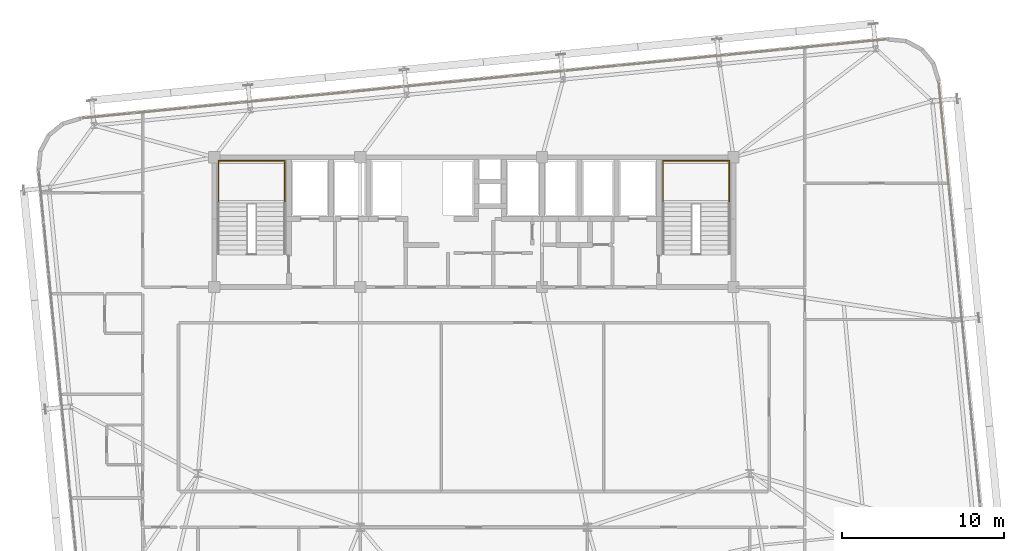
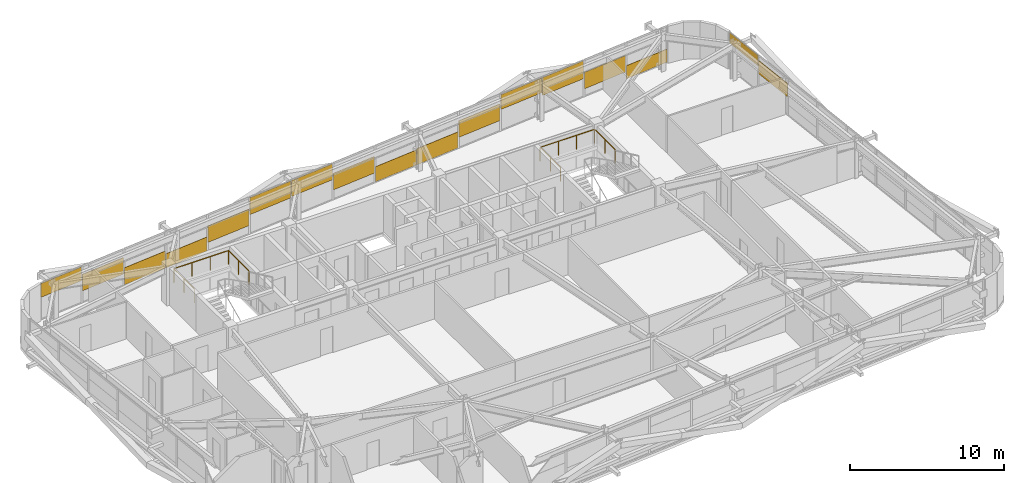
# One storey, part 53 of 53: 17 coverings, 2 railings.
"""IFC4 building model written with IfcOpenShell, lengths in metres."""

from ifc_helpers import new_model, si_unit, direction, frame, origin, origin_2d, place, context, subcontext, project, spatial, rectangle, extrude, source, transform, mapped, material, layer, layer_set, type_object, element, save


model = new_model("IFC4")

# Units and contexts
model_context = context("Model", 3, precision=1e-05, world=origin(), true_north=direction((0.0, 1.0)))
body_context = subcontext(model_context, "Body", "Model", "MODEL_VIEW")
ifc_project = project(units=[si_unit("LENGTHUNIT", "METRE"), si_unit("AREAUNIT", "SQUARE_METRE"), si_unit("VOLUMEUNIT", "CUBIC_METRE"), si_unit("PLANEANGLEUNIT", "RADIAN"), si_unit("MASSUNIT", "GRAM", prefix="KILO")], contexts=[model_context])

# Site, building, storey
site_placement = place(None, origin())
site = spatial("IfcSite", under=ifc_project, at=site_placement, CompositionType="ELEMENT")
building_placement = place(site_placement, origin())
building = spatial("IfcBuilding", under=site, at=building_placement, Name="Taldren Reach Tower", CompositionType="ELEMENT")
storey_placement = place(building_placement, frame((0.0, 0.0, 84.0)))
storey = spatial("IfcBuildingStorey", under=building, at=storey_placement, Name="L25", CompositionType="ELEMENT", Elevation=84.0)

# Railings
ifc_material_1 = material(Name="Steel Gr 350 (C350L0)", Category="steel")
ifc_layer_1 = layer(ifc_material_1, 0.050048828125)
ifc_layer_set_1 = layer_set([ifc_layer_1], Name="Steel Gr 350 (C350L0)")
railing_type = type_object("IfcRailingType", Name="RL-STAIR-GR", PredefinedType="GUARDRAIL", material=ifc_layer_set_1)
for number, where, name in (
    (1, (19.260009765625, 29.135009765625, 1.574951171875), "Stair half-landing perimeter guard ST1-L25"),
    (2, (46.659912109375, 29.135009765625, 1.574951171875), "Stair half-landing perimeter guard ST2-L25"),
):
    element("IfcRailing", number, at=place(storey_placement, frame(where)), inside=storey, type_object=railing_type, Name=name, PredefinedType="GUARDRAIL", context=body_context, shape_type="SweptSolid", body=[
        extrude(rectangle(XDim=0.047852, YDim=0.047852, at=origin_2d()), frame((0.0, 0.0, 1.09619140625), z_axis=(0.0, 1.0, 0.0), x_axis=(-1.0, 0.0, 0.0)), (0.0, 0.0, 1.0), 2.64501953125),
        extrude(rectangle(XDim=0.047852, YDim=0.047852, at=origin_2d()), frame((0.0, 2.64501953125, 1.09619140625), z_axis=(1.0, 0.0, 0.0), x_axis=(0.0, 1.0, 0.0)), (0.0, 0.0, 1.0), 4.080078125),
        extrude(rectangle(XDim=0.047852, YDim=0.047852, at=origin_2d()), frame((4.080078125, 2.64501953125, 1.09619140625), z_axis=(0.0, -1.0, 0.0), x_axis=(1.0, 0.0, 0.0)), (0.0, 0.0, 1.0), 2.64501953125),
        extrude(rectangle(XDim=0.041992, YDim=0.041992, at=origin_2d()), origin(), (0.0, 0.0, 1.0), 1.072021484375),
        extrude(rectangle(XDim=0.041992, YDim=0.041992, at=origin_2d()), frame((0.0, 1.322509765625, 0.0)), (0.0, 0.0, 1.0), 1.072021484375),
        extrude(rectangle(XDim=0.041992, YDim=0.041992, at=origin_2d()), frame((0.0, 2.64501953125, 0.0)), (0.0, 0.0, 1.0), 1.072021484375),
        extrude(rectangle(XDim=0.041992, YDim=0.041992, at=origin_2d()), frame((1.360107421875, 2.64501953125, 0.0)), (0.0, 0.0, 1.0), 1.072021484375),
        extrude(rectangle(XDim=0.041992, YDim=0.041992, at=origin_2d()), frame((2.719970703125, 2.64501953125, 0.0)), (0.0, 0.0, 1.0), 1.072021484375),
        extrude(rectangle(XDim=0.041992, YDim=0.041992, at=origin_2d()), frame((4.080078125, 2.64501953125, 0.0)), (0.0, 0.0, 1.0), 1.072021484375),
        extrude(rectangle(XDim=0.041992, YDim=0.041992, at=origin_2d()), frame((4.080078125, 1.322509765625, 0.0)), (0.0, 0.0, 1.0), 1.072021484375),
        extrude(rectangle(XDim=0.041992, YDim=0.041992, at=origin_2d()), frame((4.080078125, 0.0, 0.0)), (0.0, 0.0, 1.0), 1.072021484375),
    ])

# Coverings
ifc_material_2 = material(Name="Pale Champagne Fluoropolymer Aluminium Spandrel Cladding", Category="aluminium")
ifc_layer_2 = layer(ifc_material_2, 0.0439453125)
ifc_layer_set_2 = layer_set([ifc_layer_2], Name="Pale Champagne Fluoropolymer Aluminium Spandrel Cladding")
covering_type = type_object("IfcCoveringType", Name="CV-CLAD-044", PredefinedType="CLADDING", material=ifc_layer_set_2)
shared_shape_1 = source(origin(), body_context, "Body", "SweptSolid", [
    extrude(rectangle(XDim=3.23583984375, YDim=0.0439453125, at=origin_2d()), origin(), (0.0, 0.0, 1.0), 1.094970703125),
])
covering_1_placement = place(storey_placement, frame((12.42578125, 34.550537109375, 1.7802734375), z_axis=(0.0, 0.0, 1.0), x_axis=(-0.995227390247, -0.097582999046, 0.0)))
element("IfcCovering", 3, at=covering_1_placement, inside=storey, type_object=covering_type, Name="Diagrid closure cladding strip CW-3 panel 15.1 1", PredefinedType="CLADDING", context=body_context, shape_type="MappedRepresentation", body=[
    mapped(shared_shape_1, transform((0.0, 0.0, 0.0), scale=1.0)),
])
shared_shape_2 = source(origin(), body_context, "Body", "SweptSolid", [
    extrude(rectangle(XDim=3.268310546875, YDim=0.0439453125, at=origin_2d()), origin(), (0.0, 0.0, 1.0), 1.3046875),
])
for number, where, z_axis, x_axis, name in (
    (4, (55.5361328125, 38.777587890625, 0.6220703125), (0.0, 0.0, 1.0), (-0.995227390247, -0.097582999046, 0.0), "Diagrid closure cladding strip CW-3 panel 2.1 1"),
    (5, (45.583740234375, 37.8017578125, 0.863037109375), (0.0, 0.0, 1.0), (-0.995227390247, -0.097582999046, 0.0), "Diagrid closure cladding strip CW-3 panel 5.1 1"),
    (6, (35.631591796875, 36.825927734375, 0.78271484375), (0.0, 0.0, 1.0), (-0.995227390247, -0.097582999046, 0.0), "Diagrid closure cladding strip CW-3 panel 8.1 1"),
    (7, (25.67919921875, 35.85009765625, 0.702392578125), (0.0, 0.0, 1.0), (-0.995227390247, -0.097582999046, 0.0), "Diagrid closure cladding strip CW-3 panel 11.1 1"),
    (8, (15.72705078125, 34.874267578125, 0.943359375), (0.0, 0.0, 1.0), (-0.995227390247, -0.097582999046, 0.0), "Diagrid closure cladding strip CW-3 panel 14.1 1"),
):
    element("IfcCovering", number, at=place(storey_placement, frame(where, z_axis=z_axis, x_axis=x_axis)), inside=storey, type_object=covering_type, Name=name, PredefinedType="CLADDING", context=body_context, shape_type="MappedRepresentation", body=[
        mapped(shared_shape_2, transform((0.0, 0.0, 0.0), scale=1.0)),
    ])
shared_shape_3 = source(origin(), body_context, "Body", "SweptSolid", [
    extrude(rectangle(XDim=3.268310546875, YDim=0.0439453125, at=origin_2d()), origin(), (0.0, 0.0, 1.0), 1.356201171875),
])
covering_2_placement = place(storey_placement, frame((19.04443359375, 35.199462890625, 0.05517578125), z_axis=(0.0, 0.0, 1.0), x_axis=(-0.995227390247, -0.097582999046, 0.0)))
element("IfcCovering", 9, at=covering_2_placement, inside=storey, type_object=covering_type, Name="Diagrid closure cladding strip CW-3 panel 13.1 1", PredefinedType="CLADDING", context=body_context, shape_type="MappedRepresentation", body=[
    mapped(shared_shape_3, transform((0.0, 0.0, 0.0), scale=1.0)),
])
shared_shape_4 = source(origin(), body_context, "Body", "SweptSolid", [
    extrude(rectangle(XDim=3.268310546875, YDim=0.0439453125, at=origin_2d()), origin(), (0.0, 0.0, 1.0), 1.115234375),
])
covering_3_placement = place(storey_placement, frame((22.36181640625, 35.52490234375, 0.054931640625), z_axis=(0.0, 0.0, 1.0), x_axis=(-0.995227390247, -0.097582999046, 0.0)))
element("IfcCovering", 10, at=covering_3_placement, inside=storey, type_object=covering_type, Name="Diagrid closure cladding strip CW-3 panel 12.1 1", PredefinedType="CLADDING", context=body_context, shape_type="MappedRepresentation", body=[
    mapped(shared_shape_4, transform((0.0, 0.0, 0.0), scale=1.0)),
])
shared_shape_5 = source(origin(), body_context, "Body", "SweptSolid", [
    extrude(rectangle(XDim=3.268310546875, YDim=0.0439453125, at=origin_2d()), origin(), (0.0, 0.0, 1.0), 1.3359375),
])
covering_4_placement = place(storey_placement, frame((28.996826171875, 36.17529296875, 1.5390625), z_axis=(0.0, 0.0, 1.0), x_axis=(-0.995227390247, -0.097582999046, 0.0)))
element("IfcCovering", 11, at=covering_4_placement, inside=storey, type_object=covering_type, Name="Diagrid closure cladding strip CW-3 panel 10.1 1", PredefinedType="CLADDING", context=body_context, shape_type="MappedRepresentation", body=[
    mapped(shared_shape_5, transform((0.0, 0.0, 0.0), scale=1.0)),
])
shared_shape_6 = source(origin(), body_context, "Body", "SweptSolid", [
    extrude(rectangle(XDim=3.268310546875, YDim=0.0439453125, at=origin_2d()), origin(), (0.0, 0.0, 1.0), 1.255615234375),
])
covering_5_placement = place(storey_placement, frame((32.314208984375, 36.500732421875, 1.61962890625), z_axis=(0.0, 0.0, 1.0), x_axis=(-0.995227390247, -0.097582999046, 0.0)))
element("IfcCovering", 12, at=covering_5_placement, inside=storey, type_object=covering_type, Name="Diagrid closure cladding strip CW-3 panel 9.1 1", PredefinedType="CLADDING", context=body_context, shape_type="MappedRepresentation", body=[
    mapped(shared_shape_6, transform((0.0, 0.0, 0.0), scale=1.0)),
])
shared_shape_7 = source(origin(), body_context, "Body", "SweptSolid", [
    extrude(rectangle(XDim=3.268310546875, YDim=0.0439453125, at=origin_2d()), origin(), (0.0, 0.0, 1.0), 1.195556640625),
])
covering_6_placement = place(storey_placement, frame((38.948974609375, 37.151123046875, 0.05517578125), z_axis=(0.0, 0.0, 1.0), x_axis=(-0.995227390247, -0.097582999046, 0.0)))
element("IfcCovering", 13, at=covering_6_placement, inside=storey, type_object=covering_type, Name="Diagrid closure cladding strip CW-3 panel 7.1 1", PredefinedType="CLADDING", context=body_context, shape_type="MappedRepresentation", body=[
    mapped(shared_shape_7, transform((0.0, 0.0, 0.0), scale=1.0)),
])
shared_shape_8 = source(origin(), body_context, "Body", "SweptSolid", [
    extrude(rectangle(XDim=3.268310546875, YDim=0.0439453125, at=origin_2d()), origin(), (0.0, 0.0, 1.0), 1.27587890625),
])
covering_7_placement = place(storey_placement, frame((42.266357421875, 37.4765625, 0.054931640625), z_axis=(0.0, 0.0, 1.0), x_axis=(-0.995227390247, -0.097582999046, 0.0)))
element("IfcCovering", 14, at=covering_7_placement, inside=storey, type_object=covering_type, Name="Diagrid closure cladding strip CW-3 panel 6.1 1", PredefinedType="CLADDING", context=body_context, shape_type="MappedRepresentation", body=[
    mapped(shared_shape_8, transform((0.0, 0.0, 0.0), scale=1.0)),
])
shared_shape_9 = source(origin(), body_context, "Body", "SweptSolid", [
    extrude(rectangle(XDim=3.268310546875, YDim=0.0439453125, at=origin_2d()), origin(), (0.0, 0.0, 1.0), 1.17529296875),
])
covering_8_placement = place(storey_placement, frame((48.9013671875, 38.126953125, 1.69970703125), z_axis=(0.0, 0.0, 1.0), x_axis=(-0.995227390247, -0.097582999046, 0.0)))
element("IfcCovering", 15, at=covering_8_placement, inside=storey, type_object=covering_type, Name="Diagrid closure cladding strip CW-3 panel 4.1 1", PredefinedType="CLADDING", context=body_context, shape_type="MappedRepresentation", body=[
    mapped(shared_shape_9, transform((0.0, 0.0, 0.0), scale=1.0)),
])
shared_shape_10 = source(origin(), body_context, "Body", "SweptSolid", [
    extrude(rectangle(XDim=3.268310546875, YDim=0.0439453125, at=origin_2d()), origin(), (0.0, 0.0, 1.0), 1.416259765625),
])
covering_9_placement = place(storey_placement, frame((52.21875, 38.452392578125, 1.458984375), z_axis=(0.0, 0.0, 1.0), x_axis=(-0.995227390247, -0.097582999046, 0.0)))
element("IfcCovering", 16, at=covering_9_placement, inside=storey, type_object=covering_type, Name="Diagrid closure cladding strip CW-3 panel 3.1 1", PredefinedType="CLADDING", context=body_context, shape_type="MappedRepresentation", body=[
    mapped(shared_shape_10, transform((0.0, 0.0, 0.0), scale=1.0)),
])
shared_shape_11 = source(origin(), body_context, "Body", "SweptSolid", [
    extrude(rectangle(XDim=3.23583984375, YDim=0.0439453125, at=origin_2d()), origin(), (0.0, 0.0, 1.0), 1.034912109375),
])
covering_10_placement = place(storey_placement, frame((58.83740234375, 39.101318359375, 0.05517578125), z_axis=(0.0, 0.0, 1.0), x_axis=(-0.995227390247, -0.097582999046, 0.0)))
element("IfcCovering", 17, at=covering_10_placement, inside=storey, type_object=covering_type, Name="Diagrid closure cladding strip CW-3 panel 1.1 1", PredefinedType="CLADDING", context=body_context, shape_type="MappedRepresentation", body=[
    mapped(shared_shape_11, transform((0.0, 0.0, 0.0), scale=1.0)),
])
shared_shape_12 = source(origin(), body_context, "Body", "SweptSolid", [
    extrude(rectangle(XDim=3.18017578125, YDim=0.0439453125, at=origin_2d()), origin(), (0.0, 0.0, 1.0), 0.83056640625),
])
covering_11_placement = place(storey_placement, frame((63.79931640625, 35.051025390625, 2.04443359375), z_axis=(0.0, 0.0, 1.0), x_axis=(-0.09758274098, 0.99522741555, 0.0)))
element("IfcCovering", 18, at=covering_11_placement, inside=storey, type_object=covering_type, Name="Diagrid closure cladding strip CW-3 panel 9.1 1", PredefinedType="CLADDING", context=body_context, shape_type="MappedRepresentation", body=[
    mapped(shared_shape_12, transform((0.0, 0.0, 0.0), scale=1.0)),
])
shared_shape_13 = source(origin(), body_context, "Body", "SweptSolid", [
    extrude(rectangle(XDim=3.212890625, YDim=0.0439453125, at=origin_2d()), origin(), (0.0, 0.0, 1.0), 1.053466796875),
])
covering_12_placement = place(storey_placement, frame((64.117431640625, 31.80517578125, 1.45654296875), z_axis=(0.0, 0.0, 1.0), x_axis=(-0.09758274098, 0.99522741555, 0.0)))
element("IfcCovering", 19, at=covering_12_placement, inside=storey, type_object=covering_type, Name="Diagrid closure cladding strip CW-3 panel 8.1 1", PredefinedType="CLADDING", context=body_context, shape_type="MappedRepresentation", body=[
    mapped(shared_shape_13, transform((0.0, 0.0, 0.0), scale=1.0)),
])

save(model, "model.ifc")
